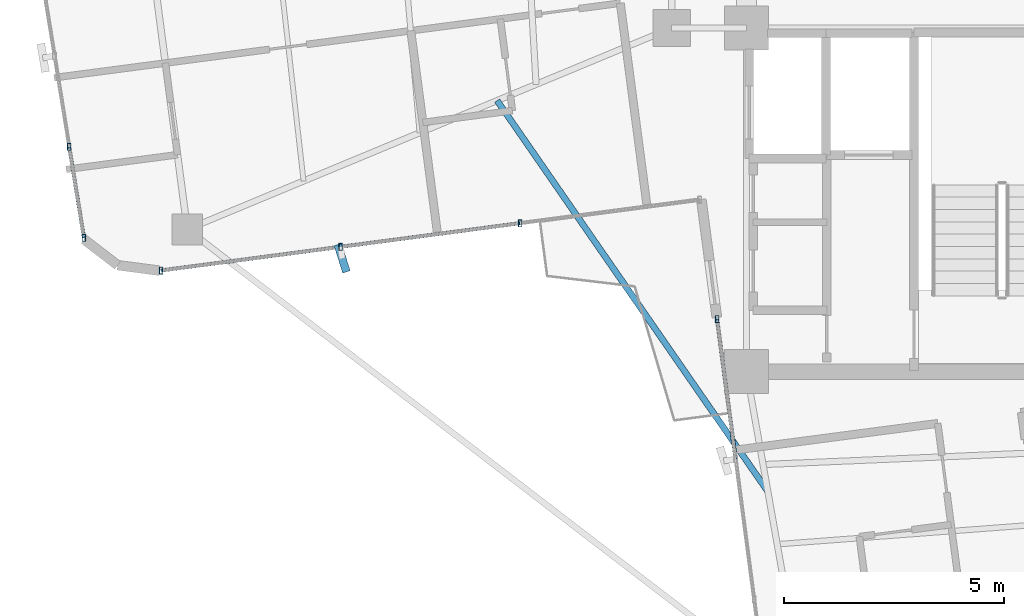
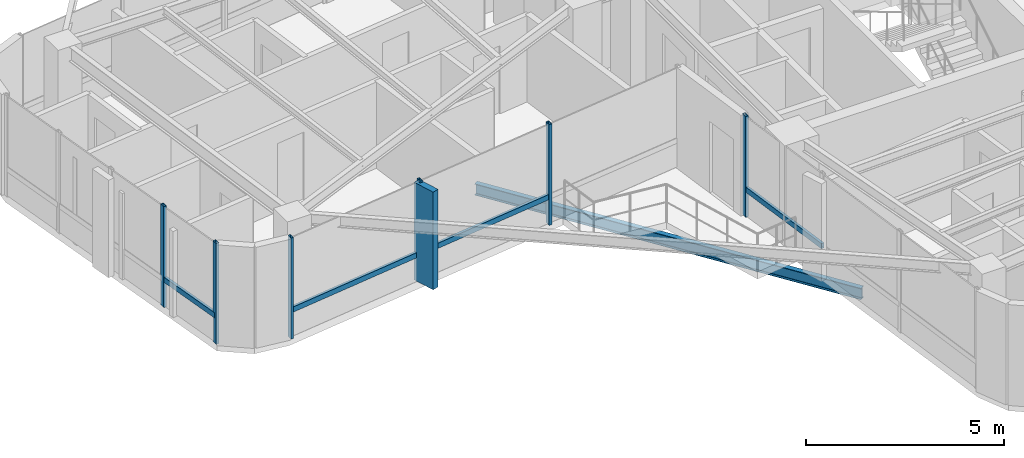
# One storey, part 2 of 23: 11 members, 1 beam, 3 elements without a shape of their own.
"""IFC4 building model written with IfcOpenShell, lengths in metres."""

from ifc_helpers import new_model, si_unit, direction, frame, origin, origin_2d, place, context, subcontext, project, spatial, rectangle, hollow_rectangle, i_section, extrude, source, transform, mapped, material, material_profile, profile_set, type_object, element, aggregate, save


model = new_model("IFC4")

# Units and contexts
model_context = context("Model", 3, precision=1e-05, world=origin(), true_north=direction((0.0, 1.0)))
body_context = subcontext(model_context, "Body", "Model", "MODEL_VIEW")
ifc_project = project(units=[si_unit("LENGTHUNIT", "METRE"), si_unit("AREAUNIT", "SQUARE_METRE"), si_unit("VOLUMEUNIT", "CUBIC_METRE"), si_unit("PLANEANGLEUNIT", "RADIAN"), si_unit("MASSUNIT", "GRAM", prefix="KILO")], contexts=[model_context])

# Site, building, storey
site_placement = place(None, origin())
site = spatial("IfcSite", under=ifc_project, at=site_placement, CompositionType="ELEMENT")
building_placement = place(site_placement, origin())
building = spatial("IfcBuilding", under=site, at=building_placement, Name="Sahyath Konkavel Grand Hotel", CompositionType="ELEMENT")
storey_placement = place(building_placement, frame((0.0, 0.0, 251.199951171875)))
storey = spatial("IfcBuildingStorey", under=building, at=storey_placement, Name="L70", CompositionType="ELEMENT", Elevation=251.199951171875)

# Curtain wall, member
ifc_material_1 = material(Name="Anodised Bronze Aluminium & Low-E Glazing", Category="aluminium")
curtain_wall_type = type_object("IfcCurtainWallType", Name="CW-ZONE4", PredefinedType="NOTDEFINED", material=ifc_material_1)
curtain_wall_1_placement = place(storey_placement, origin())
curtain_wall_1 = element("IfcCurtainWall", 1, at=curtain_wall_1_placement, inside=storey, type_object=curtain_wall_type, Name="L70 Unitised Curtain Wall F23", PredefinedType="NOTDEFINED")
ifc_material_2 = material(Name="Warm Buff Sandstone Cladding on Concrete C50/60", Category="masonry")
ifc_material_profile_1 = material_profile(ifc_material_2, rectangle(XDim=0.179931640625, YDim=0.64990234375, at=origin_2d()), Name="FIN 180x650")
ifc_profile_set_1 = profile_set([ifc_material_profile_1], Name="Warm Buff Sandstone Cladding on Concrete C50/60")
member_type_1 = type_object("IfcMemberType", Name="FIN-SANDSTONE-650", PredefinedType="MULLION", material=ifc_profile_set_1)
shared_shape_1 = source(origin(), body_context, "Body", "SweptSolid", [
    extrude(rectangle(XDim=0.179931640625, YDim=0.64990234375, at=origin_2d()), origin(), (0.0, 0.0, 1.0), 3.010009765625),
])
member_1_placement = place(storey_placement, frame((-12.98291015625, -7.6279296875, 0.050048828125), z_axis=(0.0, 0.0, 1.0), x_axis=(0.953716950748, 0.300705799504, 0.0)))
member_1 = element("IfcMember", 2, at=member_1_placement, type_object=member_type_1, Name="L70 Sandstone Vertical Solar Fin FIN F23-1", PredefinedType="MULLION", context=body_context, shape_type="MappedRepresentation", body=[
    mapped(shared_shape_1, transform((0.0, 0.0, 0.0), scale=1.0)),
])

# Curtain wall, members
curtain_wall_2_placement = place(storey_placement, origin())
curtain_wall_2 = element("IfcCurtainWall", 3, at=curtain_wall_2_placement, inside=storey, type_object=curtain_wall_type, Name="L70 Unitised Curtain Wall F20", PredefinedType="NOTDEFINED")
ifc_material_3 = material(Name="Anodised Bronze Aluminium", Category="aluminium")
ifc_material_profile_2 = material_profile(ifc_material_3, hollow_rectangle(XDim=0.080078125, YDim=0.159912109375, WallThickness=0.006103515625, at=origin_2d()), Name="RHS 160x80x6")
ifc_profile_set_2 = profile_set([ifc_material_profile_2], Name="Anodised Bronze Aluminium")
member_type_2 = type_object("IfcMemberType", Name="CW-MUL-160", PredefinedType="MULLION", material=ifc_profile_set_2)
shared_shape_2 = source(origin(), body_context, "Body", "SweptSolid", [
    extrude(hollow_rectangle(XDim=0.080078125, YDim=0.159912109375, WallThickness=0.006103515625, at=origin_2d()), origin(), (0.0, 0.0, 1.0), 3.110107421875),
])
member_2_placement = place(storey_placement, frame((-19.18017578125, -5.099853515625, 0.0), z_axis=(0.0, 0.0, 1.0), x_axis=(1.0, 0.0, 0.0)))
member_2 = element("IfcMember", 4, at=member_2_placement, type_object=member_type_2, Name="L70 Curtain Wall Mullion F20-3", PredefinedType="MULLION", context=body_context, shape_type="MappedRepresentation", body=[
    mapped(shared_shape_2, transform((0.0, 0.0, 0.0), scale=1.0)),
])
member_3_placement = place(storey_placement, frame((-18.846435546875, -7.164306640625, 0.0), z_axis=(0.0, 0.0, 1.0), x_axis=(1.0, 0.0, 0.0)))
member_3 = element("IfcMember", 5, at=member_3_placement, type_object=member_type_2, Name="L70 Curtain Wall Mullion F20-4", PredefinedType="MULLION", context=body_context, shape_type="MappedRepresentation", body=[
    mapped(shared_shape_2, transform((0.0, 0.0, 0.0), scale=1.0)),
])

# Member
member_4_placement = place(storey_placement, frame((-17.09130859375, -7.906494140625, 0.0), z_axis=(0.0, 0.0, 1.0), x_axis=(1.0, 0.0, 0.0)))
member_4 = element("IfcMember", 6, at=member_4_placement, type_object=member_type_2, Name="L70 Curtain Wall Mullion F23-0", PredefinedType="MULLION", context=body_context, shape_type="MappedRepresentation", body=[
    mapped(shared_shape_2, transform((0.0, 0.0, 0.0), scale=1.0)),
])

member_5_placement = place(storey_placement, frame((-13.0166015625, -7.3701171875, 0.0), z_axis=(0.0, 0.0, 1.0), x_axis=(1.0, 0.0, 0.0)))
member_5 = element("IfcMember", 7, at=member_5_placement, type_object=member_type_2, Name="L70 Curtain Wall Mullion F23-1", PredefinedType="MULLION", context=body_context, shape_type="MappedRepresentation", body=[
    mapped(shared_shape_2, transform((0.0, 0.0, 0.0), scale=1.0)),
])

member_6_placement = place(storey_placement, frame((-8.942138671875, -6.83349609375, 0.0), z_axis=(0.0, 0.0, 1.0), x_axis=(1.0, 0.0, 0.0)))
member_6 = element("IfcMember", 8, at=member_6_placement, type_object=member_type_2, Name="L70 Curtain Wall Mullion F23-2", PredefinedType="MULLION", context=body_context, shape_type="MappedRepresentation", body=[
    mapped(shared_shape_2, transform((0.0, 0.0, 0.0), scale=1.0)),
])

# Curtain wall, members
curtain_wall_3_placement = place(storey_placement, origin())
curtain_wall_3 = element("IfcCurtainWall", 9, at=curtain_wall_3_placement, inside=storey, type_object=curtain_wall_type, Name="L70 Unitised Curtain Wall F24", PredefinedType="NOTDEFINED")
member_7_placement = place(storey_placement, frame((-4.470458984375, -9.008544921875, 0.0), z_axis=(0.0, 0.0, 1.0), x_axis=(1.0, 0.0, 0.0)))
member_7 = element("IfcMember", 10, at=member_7_placement, type_object=member_type_2, Name="L70 Curtain Wall Mullion F24-0", PredefinedType="MULLION", context=body_context, shape_type="MappedRepresentation", body=[
    mapped(shared_shape_2, transform((0.0, 0.0, 0.0), scale=1.0)),
])
ifc_material_profile_3 = material_profile(ifc_material_3, hollow_rectangle(XDim=0.080078125, YDim=0.159912109375, WallThickness=0.006103515625, at=origin_2d()), Name="RHS 160x80x6")
ifc_profile_set_3 = profile_set([ifc_material_profile_3], Name="Anodised Bronze Aluminium")
member_type_3 = type_object("IfcMemberType", Name="CW-TRN-160", PredefinedType="USERDEFINED", material=ifc_profile_set_3)
shared_shape_3 = source(origin(), body_context, "Body", "SweptSolid", [
    extrude(hollow_rectangle(XDim=0.080078125, YDim=0.159912109375, WallThickness=0.006103515625, at=origin_2d()), origin(), (0.0, 0.0, 1.0), 3.209716796875),
])
member_8_placement = place(storey_placement, frame((-4.470458984375, -9.008544921875, 0.85009765625), z_axis=(0.130519440536, -0.991445750226, 0.0), x_axis=(0.991445750226, 0.130519440536, 0.0)))
member_8 = element("IfcMember", 11, at=member_8_placement, type_object=member_type_3, Name="L70 Curtain Wall Transom F24-0-spandrel", ObjectType="TRANSOM", PredefinedType="USERDEFINED", context=body_context, shape_type="MappedRepresentation", body=[
    mapped(shared_shape_3, transform((0.0, 0.0, 0.0), scale=1.0)),
])
aggregate(curtain_wall_3, [member_7, member_8])

# Member
shared_shape_4 = source(origin(), body_context, "Body", "SweptSolid", [
    extrude(hollow_rectangle(XDim=0.080078125, YDim=0.159912109375, WallThickness=0.006103515625, at=origin_2d()), origin(), (0.0, 0.0, 1.0), 2.09130859375),
])
member_9_placement = place(storey_placement, frame((-19.18017578125, -5.099853515625, 0.85009765625), z_axis=(0.15958846084, -0.987183631938, 0.0), x_axis=(0.987183631938, 0.15958846084, 0.0)))
member_9 = element("IfcMember", 12, at=member_9_placement, type_object=member_type_3, Name="L70 Curtain Wall Transom F20-3-spandrel", ObjectType="TRANSOM", PredefinedType="USERDEFINED", context=body_context, shape_type="MappedRepresentation", body=[
    mapped(shared_shape_4, transform((0.0, 0.0, 0.0), scale=1.0)),
])

aggregate(curtain_wall_2, [member_2, member_3, member_9])

shared_shape_5 = source(origin(), body_context, "Body", "SweptSolid", [
    extrude(hollow_rectangle(XDim=0.080078125, YDim=0.159912109375, WallThickness=0.006103515625, at=origin_2d()), origin(), (0.0, 0.0, 1.0), 4.10986328125),
])
member_10_placement = place(storey_placement, frame((-17.09130859375, -7.906494140625, 0.85009765625), z_axis=(0.991447015131, 0.13050983177, 0.0), x_axis=(-0.13050983177, 0.991447015131, 0.0)))
member_10 = element("IfcMember", 13, at=member_10_placement, type_object=member_type_3, Name="L70 Curtain Wall Transom F23-0-spandrel", ObjectType="TRANSOM", PredefinedType="USERDEFINED", context=body_context, shape_type="MappedRepresentation", body=[
    mapped(shared_shape_5, transform((0.0, 0.0, 0.0), scale=1.0)),
])

shared_shape_6 = source(origin(), body_context, "Body", "SweptSolid", [
    extrude(hollow_rectangle(XDim=0.080078125, YDim=0.159912109375, WallThickness=0.006103515625, at=origin_2d()), origin(), (0.0, 0.0, 1.0), 4.109619140625),
])
member_11_placement = place(storey_placement, frame((-13.0166015625, -7.3701171875, 0.85009765625), z_axis=(0.99143831422, 0.130575913156, 0.0), x_axis=(-0.130575913156, 0.99143831422, 0.0)))
member_11 = element("IfcMember", 14, at=member_11_placement, type_object=member_type_3, Name="L70 Curtain Wall Transom F23-1-spandrel", ObjectType="TRANSOM", PredefinedType="USERDEFINED", context=body_context, shape_type="MappedRepresentation", body=[
    mapped(shared_shape_6, transform((0.0, 0.0, 0.0), scale=1.0)),
])

aggregate(curtain_wall_1, [member_4, member_5, member_1, member_6, member_10, member_11])

# Beam
ifc_material_4 = material(Name="Steel E350", Category="steel")
ifc_material_profile_4 = material_profile(ifc_material_4, i_section(OverallWidth=0.139892578125, OverallDepth=0.35009765625, WebThickness=0.008056640625, FlangeThickness=0.01416015625, FilletRadius=0.013916015625, at=origin_2d()), Name="ISMB 350")
ifc_profile_set_4 = profile_set([ifc_material_profile_4], Name="Steel E350")
beam_type = type_object("IfcBeamType", Name="BM-BALC-CANT", PredefinedType="BEAM", material=ifc_profile_set_4)
shared_shape_7 = source(origin(), body_context, "Body", "SweptSolid", [
    extrude(i_section(OverallWidth=0.139892578125, OverallDepth=0.35009765625, WebThickness=0.008056640625, FlangeThickness=0.01416015625, FilletRadius=0.013916015625, at=origin_2d()), origin(), (0.0, 0.0, 1.0), 10.791015625),
])
beam_placement = place(storey_placement, frame((-9.4638671875, -4.048095703125, -0.4150390625), z_axis=(0.569341735728, -0.822100959711, 0.0), x_axis=(0.822100959711, 0.569341735728, 0.0)))
element("IfcBeam", 15, at=beam_placement, inside=storey, type_object=beam_type, Name="L70 Balcony Cantilever Support Beam SW", PredefinedType="BEAM", context=body_context, shape_type="MappedRepresentation", body=[
    mapped(shared_shape_7, transform((0.0, 0.0, 0.0), scale=1.0)),
])

save(model, "model.ifc")
